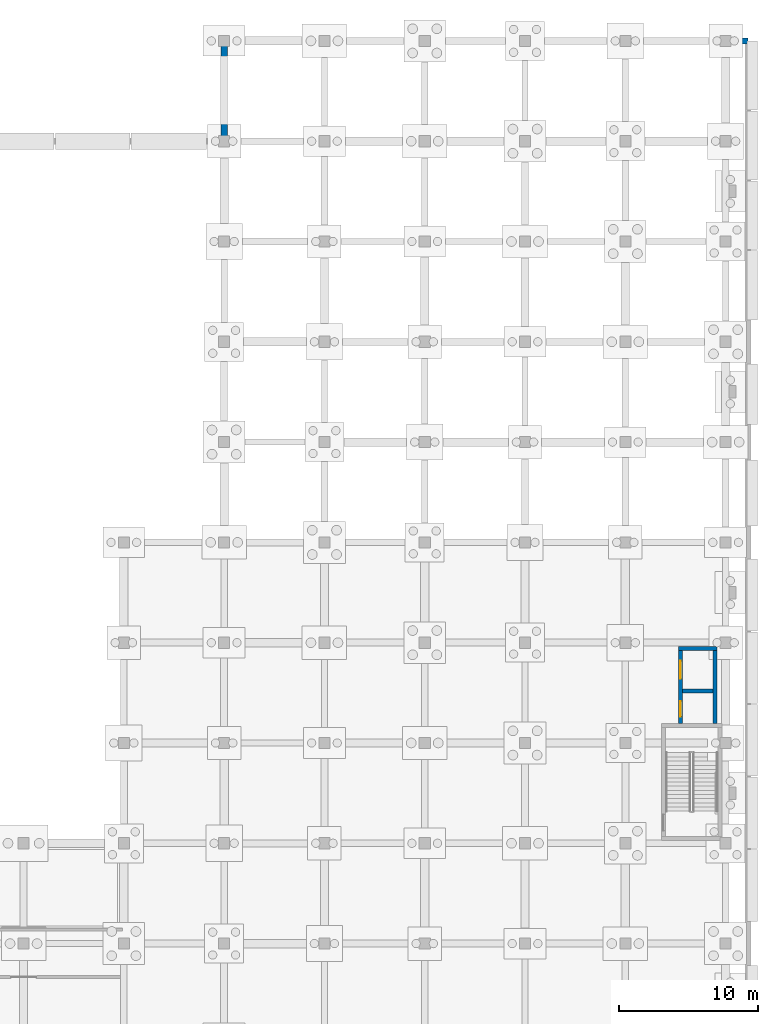
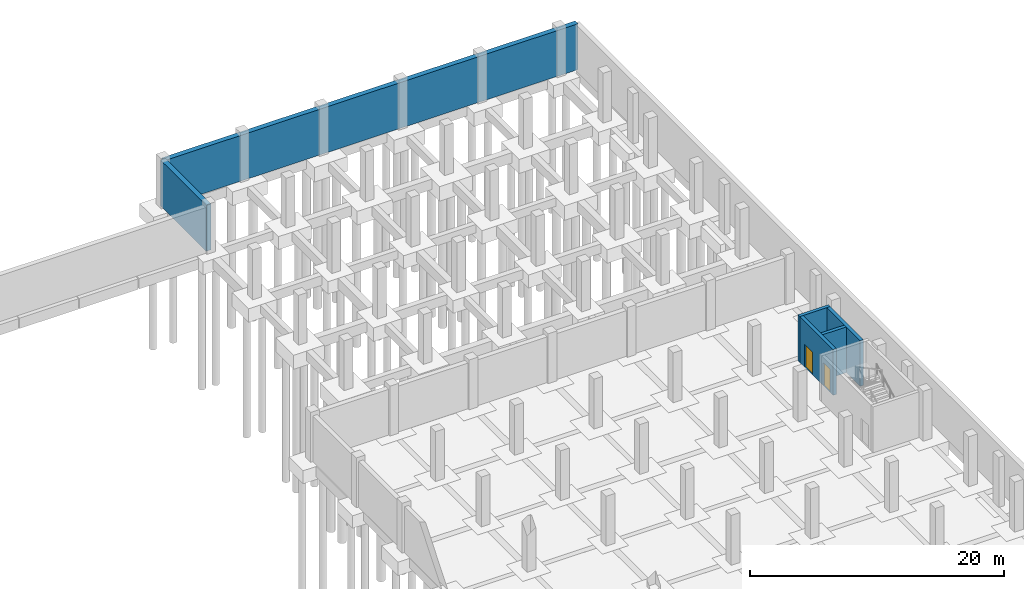
# One storey, part 30 of 38: 6 walls, 2 doors, 2 openings.
"""IFC4 building model written with IfcOpenShell, lengths in metres."""

from ifc_helpers import new_model, si_unit, direction, frame, frame_2d, origin, place, context, subcontext, project, spatial, rectangle, extrude, material, layer, layer_set, type_object, element, fill, save


model = new_model("IFC4")

# Units and contexts
model_context = context("Model", 3, precision=1e-05, world=origin(), true_north=direction((0.0, 1.0)))
body_context = subcontext(model_context, "Body", "Model", "MODEL_VIEW")
ifc_project = project(units=[si_unit("LENGTHUNIT", "METRE"), si_unit("AREAUNIT", "SQUARE_METRE"), si_unit("VOLUMEUNIT", "CUBIC_METRE"), si_unit("PLANEANGLEUNIT", "RADIAN"), si_unit("MASSUNIT", "GRAM", prefix="KILO")], contexts=[model_context])

# Site, building, storey
site_placement = place(None, origin())
site = spatial("IfcSite", under=ifc_project, at=site_placement, CompositionType="ELEMENT")
building_placement = place(site_placement, origin())
building = spatial("IfcBuilding", under=site, at=building_placement, Name="Valkovuoma Quantum and Materials Research Institute", CompositionType="ELEMENT")
storey_placement = place(building_placement, frame((0.0, 0.0, -4.800048828125)))
storey = spatial("IfcBuildingStorey", under=building, at=storey_placement, Name="B1", CompositionType="ELEMENT", Elevation=-4.800048828125)

# Walls
ifc_material_1 = material(Name="Concrete C40/50", Category="concrete")
ifc_layer_1 = layer(ifc_material_1, 0.300048828125)
ifc_layer_set_1 = layer_set([ifc_layer_1], Name="Concrete C40/50")
wall_type_1 = type_object("IfcWallType", Name="Wall-W-COR300", PredefinedType="SHEAR", material=ifc_layer_set_1)
wall_1_placement = place(storey_placement, frame((162.219970703125, 71.580078125, 0.0), z_axis=(0.0, 0.0, 1.0), x_axis=(1.0, 0.0, 0.0)))
element("IfcWall", 1, at=wall_1_placement, inside=storey, type_object=wall_type_1, Name="B1 core wall 0203", PredefinedType="SHEAR", context=body_context, shape_type="SweptSolid", body=[
    extrude(rectangle(XDim=2.760009765625, YDim=0.300048828125, at=frame_2d((1.3798828125, 0.0))), origin(), (0.0, 0.0, 1.0), 4.400146484375),
])
wall_2_placement = place(storey_placement, frame((162.52001953125, 68.52490234375, 0.0), z_axis=(0.0, 0.0, 1.0), x_axis=(1.0, 0.0, 0.0)))
element("IfcWall", 2, at=wall_2_placement, inside=storey, type_object=wall_type_1, Name="B1 core wall 0204", PredefinedType="SHEAR", context=body_context, shape_type="SweptSolid", body=[
    extrude(rectangle(XDim=2.159912109375, YDim=0.300048828125, at=frame_2d((1.080078125, 0.0))), origin(), (0.0, 0.0, 1.0), 4.400146484375),
])

# Wall, openings, doors
wall_3_placement = place(storey_placement, frame((162.3701171875, 66.199951171875, 0.0), z_axis=(0.0, 0.0, 1.0), x_axis=(0.0, 1.0, 0.0)))
wall_3 = element("IfcWall", 3, at=wall_3_placement, inside=storey, type_object=wall_type_1, Name="B1 core wall 0205", PredefinedType="SHEAR", context=body_context, shape_type="SweptSolid", body=[
    extrude(rectangle(XDim=5.22998046875, YDim=0.300048828125, at=frame_2d((2.614990234375, 0.0))), origin(), (0.0, 0.0, 1.0), 4.400146484375),
])
opening_1_placement = place(wall_3_placement, frame((0.5, 0.0, 0.0)))
opening_1 = element("IfcOpeningElement", 4, at=opening_1_placement, cuts=wall_3, Name="Opening LD-034", PredefinedType="OPENING", context=body_context, shape_type="SweptSolid", body=[
    extrude(rectangle(XDim=1.10009765625, YDim=2.199951171875, at=frame_2d((0.550048828125, 1.10009765625))), frame((0.0, 0.16015625, 0.0), z_axis=(0.0, -1.0, 0.0), x_axis=(1.0, 0.0, 0.0)), (0.0, 0.0, 1.0), 0.320068359375),
])
opening_2_placement = place(wall_3_placement, frame((3.199951171875, 0.0, 0.0)))
opening_2 = element("IfcOpeningElement", 5, at=opening_2_placement, cuts=wall_3, Name="Opening LD-035", PredefinedType="OPENING", context=body_context, shape_type="SweptSolid", body=[
    extrude(rectangle(XDim=1.300048828125, YDim=2.199951171875, at=frame_2d((0.64990234375, 1.10009765625))), frame((0.0, 0.16015625, 0.0), z_axis=(0.0, -1.0, 0.0), x_axis=(1.0, 0.0, 0.0)), (0.0, 0.0, 1.0), 0.320068359375),
])
ifc_material_2 = material(Name="Powder-coated steel and acoustic timber door assembly", Category="steel")
door_type_1 = type_object("IfcDoorType", Name="Door-DR-LD01", OperationType="NOTDEFINED", PredefinedType="DOOR", material=ifc_material_2)
door_1_placement = place(opening_1_placement, origin())
door_1 = element("IfcDoor", 6, at=door_1_placement, inside=storey, type_object=door_type_1, Name="B1 LIFT-P3 sliding landing door", OperationType="SLIDING_TO_LEFT", OverallHeight=2.199951171875, OverallWidth=1.10009765625, PredefinedType="DOOR", context=body_context, shape_type="SweptSolid", body=[
    extrude(rectangle(XDim=1.10009765625, YDim=2.199951171875, at=frame_2d((0.550048828125, 1.10009765625))), frame((0.0, 0.02490234375, 0.0), z_axis=(0.0, -1.0, 0.0), x_axis=(1.0, 0.0, 0.0)), (0.0, 0.0, 1.0), 0.050048828125),
])
fill(opening_1, door_1)
ifc_material_3 = material(Name="Powder-coated steel and acoustic timber door assembly", Category="steel")
door_type_2 = type_object("IfcDoorType", Name="Door-DR-LD02", OperationType="NOTDEFINED", PredefinedType="DOOR", material=ifc_material_3)
door_2_placement = place(opening_2_placement, origin())
door_2 = element("IfcDoor", 7, at=door_2_placement, inside=storey, type_object=door_type_2, Name="B1 LIFT-G1 sliding landing door", OperationType="SLIDING_TO_LEFT", OverallHeight=2.199951171875, OverallWidth=1.300048828125, PredefinedType="DOOR", context=body_context, shape_type="SweptSolid", body=[
    extrude(rectangle(XDim=1.300048828125, YDim=2.199951171875, at=frame_2d((0.64990234375, 1.10009765625))), frame((0.0, 0.02490234375, 0.0), z_axis=(0.0, -1.0, 0.0), x_axis=(1.0, 0.0, 0.0)), (0.0, 0.0, 1.0), 0.050048828125),
])
fill(opening_2, door_2)

# Walls
wall_4_placement = place(storey_placement, frame((164.830078125, 66.199951171875, 0.0), z_axis=(0.0, 0.0, 1.0), x_axis=(0.0, 1.0, 0.0)))
element("IfcWall", 8, at=wall_4_placement, inside=storey, type_object=wall_type_1, Name="B1 core wall 0206", PredefinedType="SHEAR", context=body_context, shape_type="SweptSolid", body=[
    extrude(rectangle(XDim=5.22998046875, YDim=0.300048828125, at=frame_2d((2.614990234375, 0.0))), origin(), (0.0, 0.0, 1.0), 4.400146484375),
])
ifc_material_4 = material(Name="Concrete C35/45", Category="concrete")
ifc_layer_2 = layer(ifc_material_4, 0.449951171875)
ifc_layer_set_2 = layer_set([ifc_layer_2], Name="Concrete C35/45")
wall_type_2 = type_object("IfcWallType", Name="Wall-W-RET450", PredefinedType="STANDARD", material=ifc_layer_set_2)
wall_5_placement = place(storey_placement, frame((129.60009765625, 108.0, 0.0), z_axis=(0.0, 0.0, 1.0), x_axis=(0.0, 1.0, 0.0)))
element("IfcWall", 9, at=wall_5_placement, inside=storey, type_object=wall_type_2, Name="B1 exterior wall 0005", PredefinedType="STANDARD", context=body_context, shape_type="SweptSolid", body=[
    extrude(rectangle(XDim=7.199951171875, YDim=0.449951171875, at=frame_2d((3.60009765625, 0.0))), origin(), (0.0, 0.0, 1.0), 4.400146484375),
])
wall_6_placement = place(storey_placement, frame((129.60009765625, 115.199951171875, 0.0), z_axis=(0.0, 0.0, 1.0), x_axis=(1.0, 0.0, 0.0)))
element("IfcWall", 10, at=wall_6_placement, inside=storey, type_object=wall_type_2, Name="B1 exterior wall 0006", PredefinedType="STANDARD", context=body_context, shape_type="SweptSolid", body=[
    extrude(rectangle(XDim=37.599853515625, YDim=0.449951171875, at=frame_2d((18.7998046875, 0.0))), origin(), (0.0, 0.0, 1.0), 4.400146484375),
])

save(model, "model.ifc")
